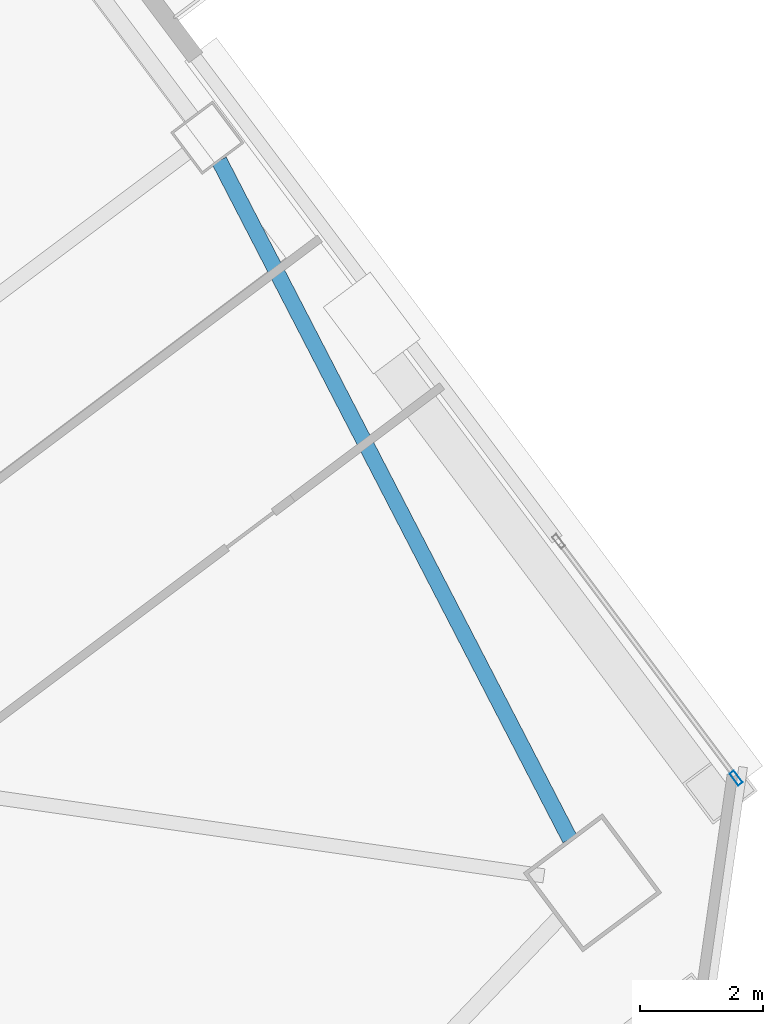
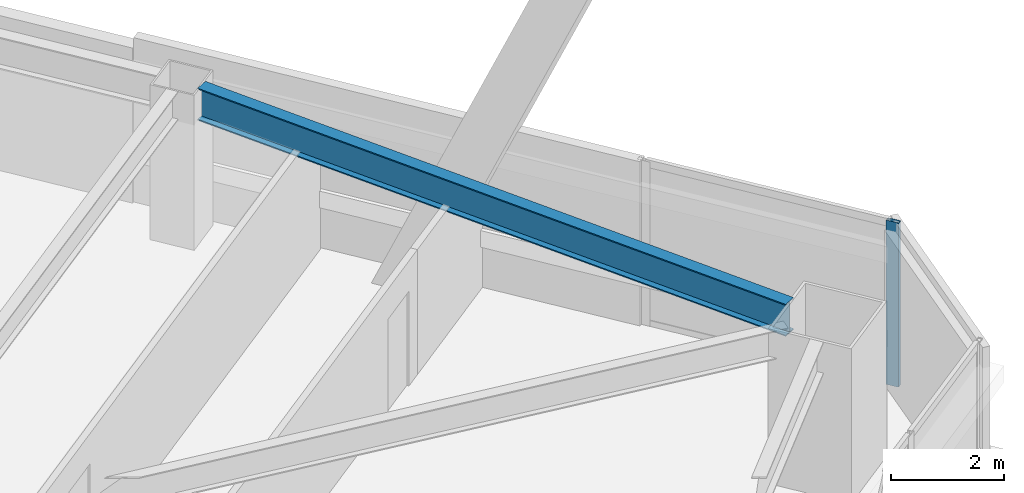
# One storey, part 48 of 75: 1 beam, 1 member, 1 element without a shape of its own.
"""IFC4 building model written with IfcOpenShell, lengths in metres."""

from ifc_helpers import new_model, si_unit, direction, frame, origin, origin_2d, place, context, subcontext, project, spatial, hollow_rectangle, i_section, extrude, material, material_profile, profile_set, type_object, element, aggregate, save


model = new_model("IFC4")

# Units and contexts
model_context = context("Model", 3, precision=1e-05, world=origin(), true_north=direction((0.0, 1.0)))
body_context = subcontext(model_context, "Body", "Model", "MODEL_VIEW")
ifc_project = project(units=[si_unit("LENGTHUNIT", "METRE"), si_unit("AREAUNIT", "SQUARE_METRE"), si_unit("VOLUMEUNIT", "CUBIC_METRE"), si_unit("PLANEANGLEUNIT", "RADIAN"), si_unit("MASSUNIT", "GRAM", prefix="KILO")], contexts=[model_context])

# Site, building, storey
site_placement = place(None, origin())
site = spatial("IfcSite", under=ifc_project, at=site_placement, CompositionType="ELEMENT")
building_placement = place(site_placement, origin())
building = spatial("IfcBuilding", under=site, at=building_placement, Name="Tashvorn Skyway Center", CompositionType="ELEMENT")
storey_placement = place(building_placement, frame((0.0, 0.0, 45.89990234375)))
storey = spatial("IfcBuildingStorey", under=building, at=storey_placement, Name="L11", CompositionType="ELEMENT", Elevation=45.89990234375)

# Beam
ifc_material_1 = material(Name="Steel ASTM A992 Grade 50", Category="steel")
ifc_material_profile_1 = material_profile(ifc_material_1, i_section(OverallWidth=0.256103515625, OverallDepth=0.693115234375, WebThickness=0.014404296875, FlangeThickness=0.023681640625, at=origin_2d()), Name="W27X114")
ifc_profile_set_1 = profile_set([ifc_material_profile_1], Name="Steel ASTM A992 Grade 50")
beam_type = type_object("IfcBeamType", Name="BM-SPANDREL-W27X114", PredefinedType="SPANDREL", material=ifc_profile_set_1)
beam_placement = place(storey_placement, frame((139.954833984375, 28.9462890625, 3.003662109375), z_axis=(-0.459233413919, 0.888315637339, 0.0), x_axis=(-0.888315637339, -0.459233413919, 0.0)))
element("IfcBeam", 1, at=beam_placement, inside=storey, type_object=beam_type, Name="Tower 2 L11 Spandrel Beam 04", PredefinedType="SPANDREL", context=body_context, shape_type="SweptSolid", body=[
    extrude(i_section(OverallWidth=0.256103515625, OverallDepth=0.693115234375, WebThickness=0.014404296875, FlangeThickness=0.023681640625, at=origin_2d()), origin(), (0.0, 0.0, 1.0), 12.37255859375),
])

# Curtain wall, member
ifc_material_2 = material(Name="Thermally broken bronze-anodized aluminium 6063-T6", Category="aluminium")
curtain_wall_type = type_object("IfcCurtainWallType", Name="CW-CW-Z1", PredefinedType="NOTDEFINED", material=ifc_material_2)
curtain_wall_placement = place(storey_placement, origin())
curtain_wall = element("IfcCurtainWall", 2, at=curtain_wall_placement, inside=storey, type_object=curtain_wall_type, Name="Tower 2 L11 East Curtain Wall R Glazing Group 1", PredefinedType="NOTDEFINED")
ifc_material_profile_2 = material_profile(ifc_material_2, hollow_rectangle(XDim=0.0849609375, YDim=0.239990234375, WallThickness=0.0048828125, at=origin_2d()), Name="ALU-MULL-85x240")
ifc_profile_set_2 = profile_set([ifc_material_profile_2], Name="Thermally broken bronze-anodized aluminium 6063-T6")
member_type = type_object("IfcMemberType", Name="CWM-CW-Z1", PredefinedType="MULLION", material=ifc_profile_set_2)
member_placement = place(storey_placement, frame((142.646484375, 29.93798828125, 0.0), z_axis=(0.0, 0.0, 1.0), x_axis=(0.799997539287, 0.600003280937, 0.0)))
member = element("IfcMember", 3, at=member_placement, type_object=member_type, Name="CW-Z1 mullion 2", PredefinedType="MULLION", context=body_context, shape_type="SweptSolid", body=[
    extrude(hollow_rectangle(XDim=0.0849609375, YDim=0.239990234375, WallThickness=0.0048828125, at=origin_2d()), origin(), (0.0, 0.0, 1.0), 3.550048828125),
])
aggregate(curtain_wall, [member])

save(model, "model.ifc")
